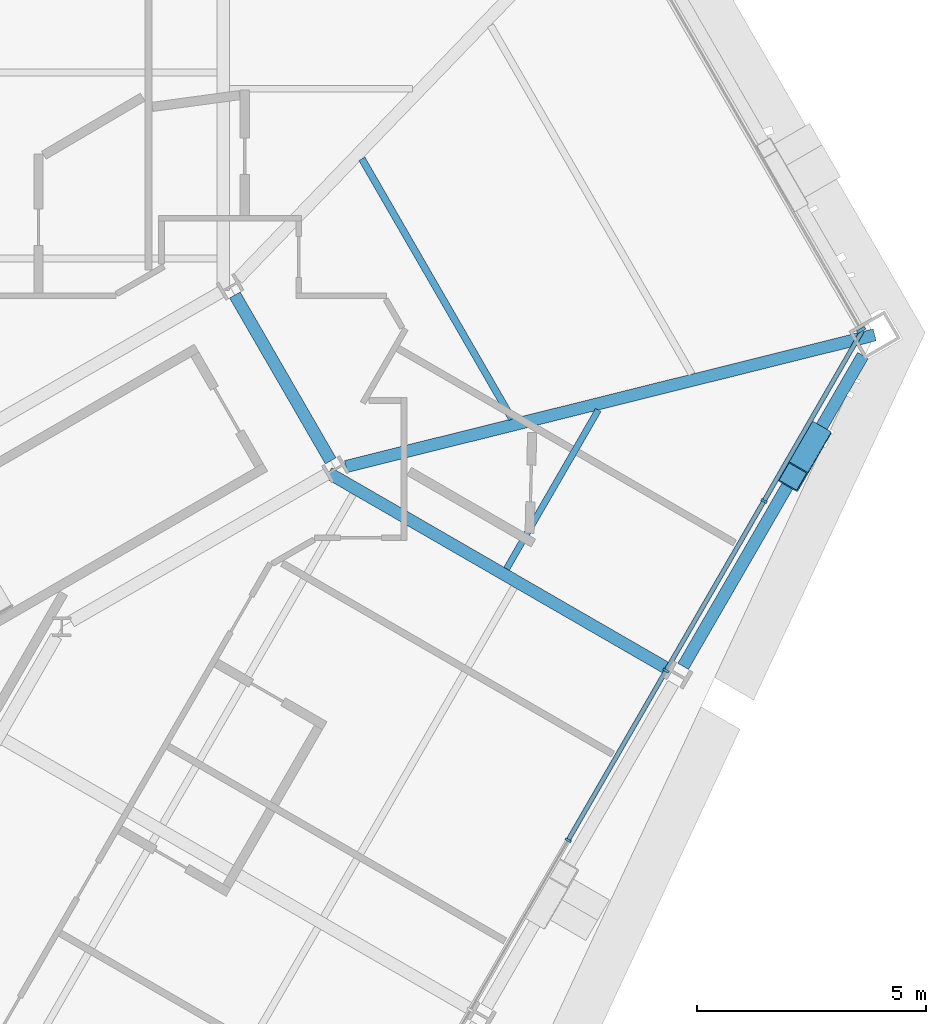
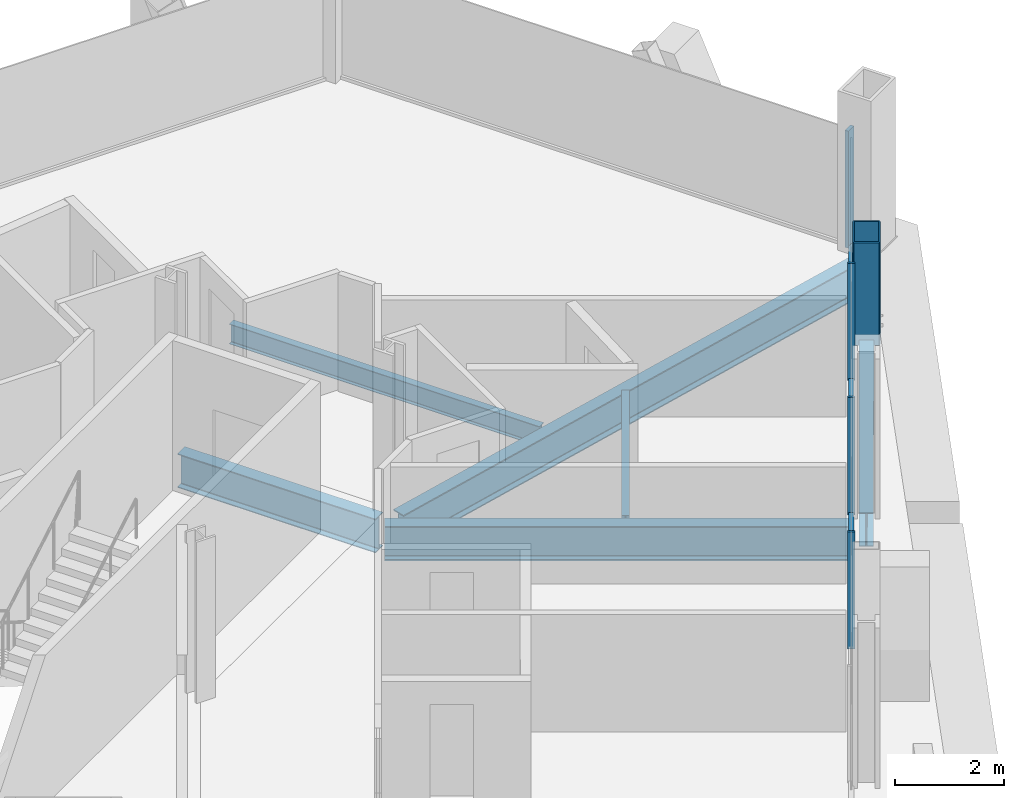
# One storey, part 10 of 20: 8 members, 6 beams, 2 elements without a shape of their own.
"""IFC4 building model written with IfcOpenShell, lengths in metres."""

from ifc_helpers import new_model, si_unit, direction, frame, origin, origin_2d, place, context, subcontext, project, spatial, rectangle, hollow_rectangle, i_section, extrude, material, material_profile, profile_set, type_object, element, aggregate, save


model = new_model("IFC4")

# Units and contexts
model_context = context("Model", 3, precision=1e-05, world=origin(), true_north=direction((0.0, 1.0)))
body_context = subcontext(model_context, "Body", "Model", "MODEL_VIEW")
ifc_project = project(units=[si_unit("LENGTHUNIT", "METRE"), si_unit("AREAUNIT", "SQUARE_METRE"), si_unit("VOLUMEUNIT", "CUBIC_METRE"), si_unit("PLANEANGLEUNIT", "RADIAN"), si_unit("MASSUNIT", "GRAM", prefix="KILO")], contexts=[model_context])

# Site, building, storey
site_placement = place(None, origin())
site = spatial("IfcSite", under=ifc_project, at=site_placement, CompositionType="ELEMENT")
building_placement = place(site_placement, origin())
building = spatial("IfcBuilding", under=site, at=building_placement, Name="Verrane Prism Tower", CompositionType="ELEMENT")
storey_placement = place(building_placement, frame((0.0, 0.0, 69.199951171875)))
storey = spatial("IfcBuildingStorey", under=building, at=storey_placement, Name="L15", CompositionType="ELEMENT", Elevation=69.199951171875)

# Beams
ifc_material_1 = material(Name="Steel A992", Category="steel")
ifc_material_profile_1 = material_profile(ifc_material_1, i_section(OverallWidth=0.2666015625, OverallDepth=0.7568359375, WebThickness=0.013916015625, FlangeThickness=0.019287109375, FilletRadius=0.0166015625, at=origin_2d()), Name="W30x108")
ifc_profile_set_1 = profile_set([ifc_material_profile_1], Name="Steel A992")
beam_type_1 = type_object("IfcBeamType", Name="Core ring girder W30x108", PredefinedType="BEAM", material=ifc_profile_set_1)
beam_1_placement = place(storey_placement, frame((19.4951171875, 8.84130859375, -0.62841796875), z_axis=(-0.500349643494, 0.865823442888, 0.0), x_axis=(-0.865823442888, -0.500349643494, 0.0)))
element("IfcBeam", 1, at=beam_1_placement, inside=storey, type_object=beam_type_1, Name="Core ring girder L15", PredefinedType="BEAM", context=body_context, shape_type="SweptSolid", body=[
    extrude(i_section(OverallWidth=0.2666015625, OverallDepth=0.7568359375, WebThickness=0.013916015625, FlangeThickness=0.019287109375, FilletRadius=0.0166015625, at=origin_2d()), origin(), (0.0, 0.0, 1.0), 4.177734375),
])
ifc_material_2 = material(Name="Steel A992", Category="steel")
ifc_material_profile_2 = material_profile(ifc_material_2, i_section(OverallWidth=0.2666015625, OverallDepth=0.76708984375, WebThickness=0.014892578125, FlangeThickness=0.023681640625, FilletRadius=0.0166015625, at=origin_2d()), Name="W30x124")
ifc_profile_set_2 = profile_set([ifc_material_profile_2], Name="Steel A992")
beam_type_2 = type_object("IfcBeamType", Name="Corner girder W30x124", PredefinedType="BEAM", material=ifc_profile_set_2)
beam_2_placement = place(storey_placement, frame((31.3671875, 11.58935546875, -0.603515625), z_axis=(-0.970381185605, -0.24157887868, 0.0), x_axis=(0.24157887868, -0.970381185605, 0.0)))
element("IfcBeam", 2, at=beam_2_placement, inside=storey, type_object=beam_type_2, Name="Corner girder L15", PredefinedType="BEAM", context=body_context, shape_type="SweptSolid", body=[
    extrude(i_section(OverallWidth=0.2666015625, OverallDepth=0.76708984375, WebThickness=0.014892578125, FlangeThickness=0.023681640625, FilletRadius=0.0166015625, at=origin_2d()), origin(), (0.0, 0.0, 1.0), 11.8896484375),
])

# Member
ifc_material_3 = material(Name="Steel A1085 Grade A", Category="steel")
ifc_material_profile_3 = material_profile(ifc_material_3, hollow_rectangle(XDim=0.508056640625, YDim=0.508056640625, WallThickness=0.025390625, InnerFilletRadius=0.0126953125, OuterFilletRadius=0.0380859375, at=origin_2d()), Name="HSS20x20x1")
ifc_profile_set_3 = profile_set([ifc_material_profile_3], Name="Steel A1085 Grade A")
member_type_1 = type_object("IfcMemberType", Name="Facade brace HSS20x20x1", PredefinedType="BRACE", material=ifc_profile_set_3)
member_1_placement = place(storey_placement, frame((30.093994140625, 9.3828125, -0.242431640625), z_axis=(-0.161207751603, -0.278771078559, 0.946730556485), x_axis=(0.865676668203, -0.500603541866, 0.0)))
element("IfcMember", 3, at=member_1_placement, inside=storey, type_object=member_type_1, Name="Facade brace SE5 L15", PredefinedType="BRACE", context=body_context, shape_type="SweptSolid", body=[
    extrude(hollow_rectangle(XDim=0.508056640625, YDim=0.508056640625, WallThickness=0.025390625, InnerFilletRadius=0.0126953125, OuterFilletRadius=0.0380859375, at=origin_2d()), origin(), (0.0, 0.0, 1.0), 3.17724609375),
])

# Beams
ifc_material_4 = material(Name="Steel A992", Category="steel")
ifc_material_profile_4 = material_profile(ifc_material_4, i_section(OverallWidth=0.140380859375, OverallDepth=0.40380859375, WebThickness=0.007080078125, FlangeThickness=0.01123046875, FilletRadius=0.01025390625, at=origin_2d()), Name="W16x31")
ifc_profile_set_4 = profile_set([ifc_material_profile_4], Name="Steel A992")
beam_type_3 = type_object("IfcBeamType", Name="Floor beam W16x31", PredefinedType="BEAM", material=ifc_profile_set_4)
beam_3_placement = place(storey_placement, frame((23.333984375, 6.484375, -0.36181640625), z_axis=(0.499997052475, 0.866027105532, 0.0), x_axis=(-0.866027105532, 0.499997052475, 0.0)))
element("IfcBeam", 4, at=beam_3_placement, inside=storey, type_object=beam_type_3, Name="Floor beam L15", PredefinedType="BEAM", context=body_context, shape_type="SweptSolid", body=[
    extrude(i_section(OverallWidth=0.140380859375, OverallDepth=0.40380859375, WebThickness=0.007080078125, FlangeThickness=0.01123046875, FilletRadius=0.01025390625, at=origin_2d()), origin(), (0.0, 0.0, 1.0), 4.001953125),
])
ifc_material_5 = material(Name="Steel A992", Category="steel")
ifc_material_profile_5 = material_profile(ifc_material_5, i_section(OverallWidth=0.15234375, OverallDepth=0.449462890625, WebThickness=0.007568359375, FlangeThickness=0.0107421875, FilletRadius=0.01025390625, at=origin_2d()), Name="W18x35")
ifc_profile_set_5 = profile_set([ifc_material_profile_5], Name="Steel A992")
beam_type_4 = type_object("IfcBeamType", Name="Floor beam W18x35", PredefinedType="BEAM", material=ifc_profile_set_5)
beam_4_placement = place(storey_placement, frame((23.45263671875, 9.756591796875, -0.384765625), z_axis=(-0.499982664585, 0.86603541216, 0.0), x_axis=(-0.86603541216, -0.499982664585, 0.0)))
element("IfcBeam", 5, at=beam_4_placement, inside=storey, type_object=beam_type_4, Name="Floor beam L15", PredefinedType="BEAM", context=body_context, shape_type="SweptSolid", body=[
    extrude(i_section(OverallWidth=0.15234375, OverallDepth=0.449462890625, WebThickness=0.007568359375, FlangeThickness=0.0107421875, FilletRadius=0.01025390625, at=origin_2d()), origin(), (0.0, 0.0, 1.0), 6.551513671875),
])

# Curtain wall, members
ifc_material_6 = material(Name="Aluminium framed insulated glazing", Category="aluminium")
curtain_wall_type_1 = type_object("IfcCurtainWallType", Name="Curtain wall CW-C 4200 module", PredefinedType="NOTDEFINED", material=ifc_material_6)
curtain_wall_1_placement = place(storey_placement, origin())
curtain_wall_1 = element("IfcCurtainWall", 6, at=curtain_wall_1_placement, inside=storey, type_object=curtain_wall_type_1, Name="Glazed curtain wall south-east face L15", PredefinedType="NOTDEFINED")
ifc_material_7 = material(Name="Aluminium alloy 6063-T6", Category="aluminium")
ifc_material_profile_6 = material_profile(ifc_material_7, rectangle(XDim=0.139892578125, YDim=0.050048828125, at=origin_2d()), Name="Mullion 50x140 aluminium")
ifc_profile_set_6 = profile_set([ifc_material_profile_6], Name="Aluminium alloy 6063-T6")
member_type_2 = type_object("IfcMemberType", Name="Mullion 50x140 aluminium", PredefinedType="MULLION", material=ifc_profile_set_6)
member_2_placement = place(storey_placement, frame((24.677490234375, 0.560791015625, 0.0), z_axis=(0.0, 0.0, 1.0), x_axis=(-0.866025283147, 0.50000020895, 0.0)))
member_2 = element("IfcMember", 7, at=member_2_placement, type_object=member_type_2, Name="CW14.6 mullion 10", PredefinedType="MULLION", context=body_context, shape_type="SweptSolid", body=[
    extrude(rectangle(XDim=0.139892578125, YDim=0.050048828125, at=origin_2d()), origin(), (0.0, 0.0, 1.0), 2.613037109375),
])
member_3_placement = place(storey_placement, frame((26.81494140625, 4.262939453125, 0.0), z_axis=(0.0, 0.0, 1.0), x_axis=(-0.866025283147, 0.50000020895, 0.0)))
member_3 = element("IfcMember", 8, at=member_3_placement, type_object=member_type_2, Name="CW14.6 mullion 11", PredefinedType="MULLION", context=body_context, shape_type="SweptSolid", body=[
    extrude(rectangle(XDim=0.139892578125, YDim=0.050048828125, at=origin_2d()), origin(), (0.0, 0.0, 1.0), 2.613037109375),
])
member_4_placement = place(storey_placement, frame((28.952392578125, 7.96484375, 0.0), z_axis=(0.0, 0.0, 1.0), x_axis=(-0.866025283147, 0.50000020895, 0.0)))
member_4 = element("IfcMember", 9, at=member_4_placement, type_object=member_type_2, Name="CW14.6 mullion 12", PredefinedType="MULLION", context=body_context, shape_type="SweptSolid", body=[
    extrude(rectangle(XDim=0.139892578125, YDim=0.050048828125, at=origin_2d()), origin(), (0.0, 0.0, 1.0), 2.613037109375),
])

# Curtain wall, member
ifc_material_8 = material(Name="Aluminium framed insulated glazing", Category="aluminium")
curtain_wall_type_2 = type_object("IfcCurtainWallType", Name="Curtain wall CW-A 8400 module", PredefinedType="NOTDEFINED", material=ifc_material_8)
curtain_wall_2_placement = place(storey_placement, origin())
curtain_wall_2 = element("IfcCurtainWall", 10, at=curtain_wall_2_placement, inside=storey, type_object=curtain_wall_type_2, Name="Glazed curtain wall north-east corner L15", PredefinedType="NOTDEFINED")
ifc_material_9 = material(Name="Aluminium alloy 6063-T6", Category="aluminium")
ifc_material_profile_7 = material_profile(ifc_material_9, rectangle(XDim=0.199951171875, YDim=0.070068359375, at=origin_2d()), Name="Mullion 70x200 aluminium")
ifc_profile_set_7 = profile_set([ifc_material_profile_7], Name="Aluminium alloy 6063-T6")
member_type_3 = type_object("IfcMemberType", Name="Mullion 70x200 aluminium", PredefinedType="MULLION", material=ifc_profile_set_7)
member_5_placement = place(storey_placement, frame((31.072265625, 11.697265625, 0.0), z_axis=(0.0, 0.0, 1.0), x_axis=(-0.866027351077, -0.499996627176, 0.0)))
member_5 = element("IfcMember", 11, at=member_5_placement, type_object=member_type_3, Name="CW14.1 mullion 1", PredefinedType="MULLION", context=body_context, shape_type="SweptSolid", body=[
    extrude(rectangle(XDim=0.199951171875, YDim=0.070068359375, at=origin_2d()), origin(), (0.0, 0.0, 1.0), 2.613037109375),
])
aggregate(curtain_wall_2, [member_5])

# Beams
ifc_material_10 = material(Name="Steel A992", Category="steel")
ifc_material_profile_8 = material_profile(ifc_material_10, i_section(OverallWidth=0.2666015625, OverallDepth=0.76708984375, WebThickness=0.014892578125, FlangeThickness=0.023681640625, FilletRadius=0.0166015625, at=origin_2d()), Name="W30x124")
ifc_profile_set_8 = profile_set([ifc_material_profile_8], Name="Steel A992")
beam_type_5 = type_object("IfcBeamType", Name="Radial girder W30x124", PredefinedType="BEAM", material=ifc_profile_set_8)
beam_5_placement = place(storey_placement, frame((26.864501953125, 4.29443359375, -0.603515625), z_axis=(-0.866021248858, 0.500007196474, 0.0), x_axis=(-0.500007196474, -0.866021248858, 0.0)))
element("IfcBeam", 12, at=beam_5_placement, inside=storey, type_object=beam_type_5, Name="Radial girder L15", PredefinedType="BEAM", context=body_context, shape_type="SweptSolid", body=[
    extrude(i_section(OverallWidth=0.2666015625, OverallDepth=0.76708984375, WebThickness=0.014892578125, FlangeThickness=0.023681640625, FilletRadius=0.0166015625, at=origin_2d()), origin(), (0.0, 0.0, 1.0), 8.559814453125),
])
ifc_material_11 = material(Name="Steel A992", Category="steel")
ifc_material_profile_9 = material_profile(ifc_material_11, i_section(OverallWidth=0.2666015625, OverallDepth=0.7568359375, WebThickness=0.013916015625, FlangeThickness=0.019287109375, FilletRadius=0.0166015625, at=origin_2d()), Name="W30x108")
ifc_profile_set_9 = profile_set([ifc_material_profile_9], Name="Steel A992")
beam_type_6 = type_object("IfcBeamType", Name="Spandrel beam W30x108", PredefinedType="SPANDREL", material=ifc_profile_set_9)
beam_6_placement = place(storey_placement, frame((27.18798828125, 4.35693359375, -0.538330078125), z_axis=(0.50054491005, 0.865710571163, 0.0), x_axis=(-0.865710571163, 0.50054491005, 0.0)))
element("IfcBeam", 13, at=beam_6_placement, inside=storey, type_object=beam_type_6, Name="Spandrel beam L15", PredefinedType="SPANDREL", context=body_context, shape_type="SweptSolid", body=[
    extrude(i_section(OverallWidth=0.2666015625, OverallDepth=0.7568359375, WebThickness=0.013916015625, FlangeThickness=0.019287109375, FilletRadius=0.0166015625, at=origin_2d()), origin(), (0.0, 0.0, 1.0), 7.835693359375),
])

# Member
ifc_material_12 = material(Name="Aluminium alloy 6063-T6", Category="aluminium")
ifc_material_profile_10 = material_profile(ifc_material_12, rectangle(XDim=0.10009765625, YDim=0.050048828125, at=origin_2d()), Name="Transom 50x100 aluminium")
ifc_profile_set_10 = profile_set([ifc_material_profile_10], Name="Aluminium alloy 6063-T6")
member_type_4 = type_object("IfcMemberType", Name="Transom 50x100 aluminium", PredefinedType="USERDEFINED", material=ifc_profile_set_10)
member_6_placement = place(storey_placement, frame((24.68994140625, 0.58251953125, 0.025146484375), z_axis=(0.500035923186, 0.86600466253, 0.0), x_axis=(-0.86600466253, 0.500035923186, 0.0)))
member_6 = element("IfcMember", 14, at=member_6_placement, type_object=member_type_4, Name="CW14.6 transom 10", ObjectType="TRANSOM", PredefinedType="USERDEFINED", context=body_context, shape_type="SweptSolid", body=[
    extrude(rectangle(XDim=0.10009765625, YDim=0.050048828125, at=origin_2d()), origin(), (0.0, 0.0, 1.0), 4.224853515625),
])

member_7_placement = place(storey_placement, frame((26.827392578125, 4.284423828125, 0.025146484375), z_axis=(0.499967560512, 0.866044131922, 0.0), x_axis=(-0.866044131922, 0.499967560512, 0.0)))
member_7 = element("IfcMember", 15, at=member_7_placement, type_object=member_type_4, Name="CW14.6 transom 11", ObjectType="TRANSOM", PredefinedType="USERDEFINED", context=body_context, shape_type="SweptSolid", body=[
    extrude(rectangle(XDim=0.10009765625, YDim=0.050048828125, at=origin_2d()), origin(), (0.0, 0.0, 1.0), 4.224853515625),
])

member_8_placement = place(storey_placement, frame((28.96484375, 7.986572265625, 0.025146484375), z_axis=(0.499976073514, 0.866039217307, 0.0), x_axis=(-0.866039217307, 0.499976073514, 0.0)))
member_8 = element("IfcMember", 16, at=member_8_placement, type_object=member_type_4, Name="CW14.6 transom 12", ObjectType="TRANSOM", PredefinedType="USERDEFINED", context=body_context, shape_type="SweptSolid", body=[
    extrude(rectangle(XDim=0.10009765625, YDim=0.050048828125, at=origin_2d()), origin(), (0.0, 0.0, 1.0), 4.249755859375),
])

aggregate(curtain_wall_1, [member_2, member_3, member_4, member_6, member_7, member_8])

save(model, "model.ifc")
